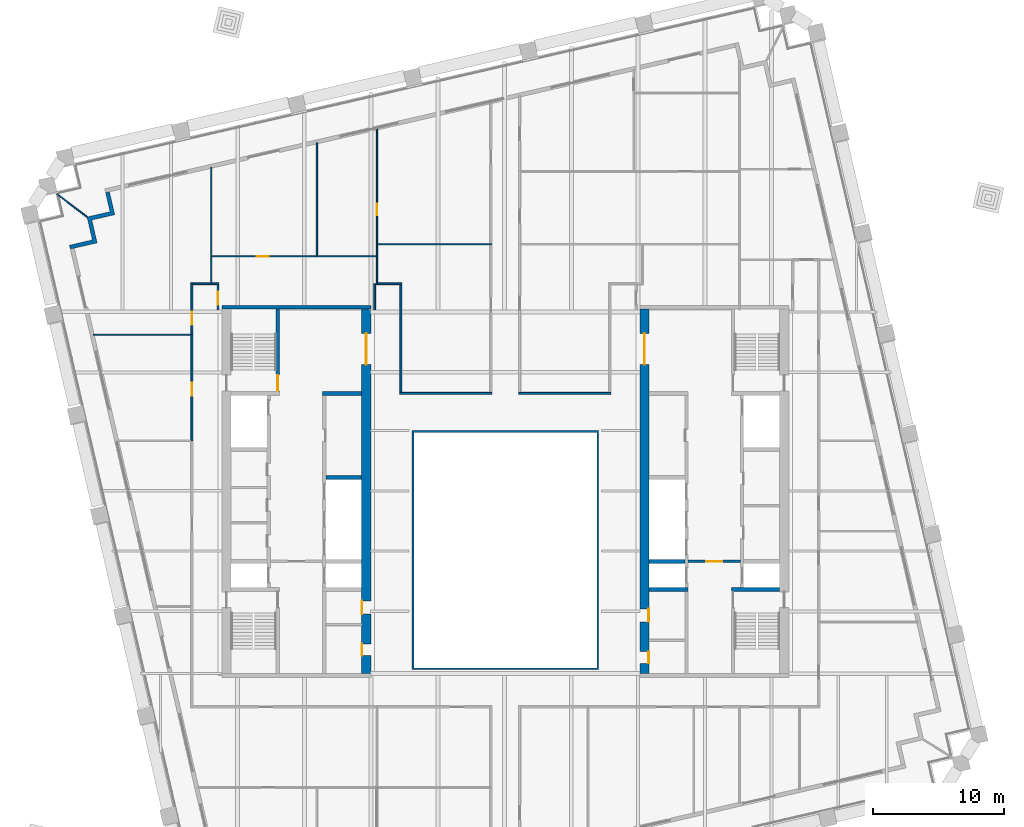
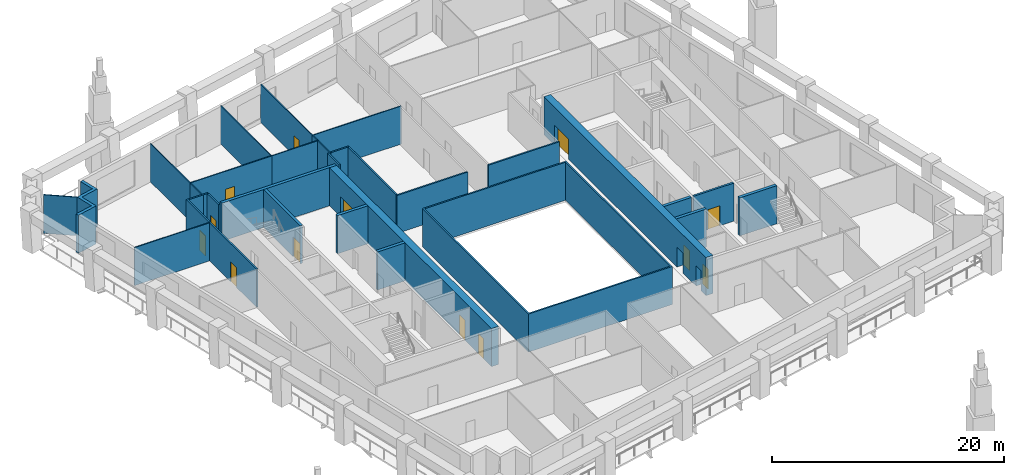
# One storey, part 6 of 10: 33 walls, 13 doors, 13 openings.
"""IFC4 building model written with IfcOpenShell, lengths in metres."""

from ifc_helpers import new_model, si_unit, direction, frame, frame_2d, origin, place, context, subcontext, project, spatial, polyline, rectangle, outline, extrude, material, layer, layer_set, type_object, element, fill, save


model = new_model("IFC4")

# Units and contexts
model_context = context("Model", 3, precision=1e-05, world=origin(), true_north=direction((0.0, 1.0)))
body_context = subcontext(model_context, "Body", "Model", "MODEL_VIEW")
ifc_project = project(units=[si_unit("LENGTHUNIT", "METRE"), si_unit("AREAUNIT", "SQUARE_METRE"), si_unit("VOLUMEUNIT", "CUBIC_METRE"), si_unit("PLANEANGLEUNIT", "RADIAN"), si_unit("MASSUNIT", "GRAM", prefix="KILO")], contexts=[model_context])

# Site, building, storey
site_placement = place(None, origin())
site = spatial("IfcSite", under=ifc_project, at=site_placement, CompositionType="ELEMENT")
building_placement = place(site_placement, origin())
building = spatial("IfcBuilding", under=site, at=building_placement, Name="Ogive Exchange Tower", CompositionType="ELEMENT")
storey_placement = place(building_placement, frame((0.0, 0.0, 171.60009765625)))
storey = spatial("IfcBuildingStorey", under=building, at=storey_placement, Name="L37", CompositionType="ELEMENT", Elevation=171.60009765625)

# Wall
ifc_material_1 = material(Name="Gypsum board partition")
ifc_layer_1 = layer(ifc_material_1, 0.300048828125)
ifc_layer_set_1 = layer_set([ifc_layer_1], Name="Core room partition 300 gypsum")
wall_type_1 = type_object("IfcWallType", Name="Core room partition 300 gypsum", PredefinedType="PARTITIONING", material=ifc_layer_set_1)
wall_1_placement = place(storey_placement, frame((-14.0, 19.0, 0.0), z_axis=(0.0, 0.0, 1.0), x_axis=(1.0, 0.0, 0.0)))
element("IfcWall", 1, at=wall_1_placement, inside=storey, type_object=wall_type_1, Name="W row B room end wall 7", PredefinedType="PARTITIONING", context=body_context, shape_type="SweptSolid", body=[
    extrude(rectangle(XDim=3.0, YDim=0.300048828125, at=frame_2d((1.5, 0.0))), origin(), (0.0, 0.0, 1.0), 4.0),
])

# Wall, opening, door
ifc_material_2 = material(Name="Fire partition EI 60 150")
ifc_layer_2 = layer(ifc_material_2, 0.14990234375)
ifc_layer_set_2 = layer_set([ifc_layer_2], Name="Fire partition EI 60 150")
wall_type_2 = type_object("IfcWallType", Name="Fire partition EI 60 150", PredefinedType="PARTITIONING", material=ifc_layer_set_2)
wall_2_placement = place(storey_placement, frame((-24.0, 15.3798828125, 0.0), z_axis=(0.0, 0.0, 1.0), x_axis=(0.0, 1.0, 0.0)))
wall_2 = element("IfcWall", 2, at=wall_2_placement, inside=storey, type_object=wall_type_2, Name="L37-PWL-005", PredefinedType="PARTITIONING", context=body_context, shape_type="SweptSolid", body=[
    extrude(rectangle(XDim=8.16015625, YDim=0.14990234375, at=frame_2d((4.080078125, 0.0))), origin(), (0.0, 0.0, 1.0), 4.0),
])
opening_1_placement = place(wall_2_placement, frame((3.4599609375, 0.0, 0.0)))
opening_1 = element("IfcOpeningElement", 3, at=opening_1_placement, cuts=wall_2, Name="Opening L37-I09", PredefinedType="OPENING", context=body_context, shape_type="SweptSolid", body=[
    extrude(rectangle(XDim=1.0, YDim=2.10009765625, at=frame_2d((0.5, 1.050048828125))), frame((0.0, 0.0849609375, 0.0), z_axis=(0.0, -1.0, 0.0), x_axis=(1.0, 0.0, 0.0)), (0.0, 0.0, 1.0), 0.169921875),
])
ifc_material_3 = material(Name="Fire door FD 30S 1000 x 2100")
door_type_1 = type_object("IfcDoorType", Name="Fire door FD 30S 1000 x 2100", OperationType="NOTDEFINED", PredefinedType="DOOR", material=ifc_material_3)
door_1_placement = place(opening_1_placement, origin())
door_1 = element("IfcDoor", 4, at=door_1_placement, inside=storey, type_object=door_type_1, Name="L37-IDR-009", ObjectType="DT3", OperationType="SINGLE_SWING_LEFT", OverallHeight=2.10009765625, OverallWidth=1.0, PredefinedType="DOOR", context=body_context, shape_type="SweptSolid", body=[
    extrude(rectangle(XDim=1.0, YDim=2.10009765625, at=frame_2d((0.5, 1.050048828125))), frame((0.0, 0.02490234375, 0.0), z_axis=(0.0, -1.0, 0.0), x_axis=(1.0, 0.0, 0.0)), (0.0, 0.0, 1.0), 0.050048828125),
])
fill(opening_1, door_1)

wall_3_placement = place(storey_placement, frame((-24.0, 23.5400390625, 0.0), z_axis=(0.0, 0.0, 1.0), x_axis=(0.0, 1.0, 0.0)))
wall_3 = element("IfcWall", 5, at=wall_3_placement, inside=storey, type_object=wall_type_2, Name="L37-PWL-007", PredefinedType="PARTITIONING", context=body_context, shape_type="SweptSolid", body=[
    extrude(rectangle(XDim=3.93505859375, YDim=0.14990234375, at=frame_2d((1.967529296875, 0.0))), origin(), (0.0, 0.0, 1.0), 4.0),
])
opening_2_placement = place(wall_3_placement, frame((0.7099609375, 0.0, 0.0)))
opening_2 = element("IfcOpeningElement", 6, at=opening_2_placement, cuts=wall_3, Name="Opening L37-I08", PredefinedType="OPENING", context=body_context, shape_type="SweptSolid", body=[
    extrude(rectangle(XDim=1.0, YDim=2.10009765625, at=frame_2d((0.5, 1.050048828125))), frame((0.0, 0.0849609375, 0.0), z_axis=(0.0, -1.0, 0.0), x_axis=(1.0, 0.0, 0.0)), (0.0, 0.0, 1.0), 0.169921875),
])
door_2_placement = place(opening_2_placement, origin())
door_2 = element("IfcDoor", 7, at=door_2_placement, inside=storey, type_object=door_type_1, Name="L37-IDR-008", ObjectType="DT3", OperationType="SINGLE_SWING_RIGHT", OverallHeight=2.10009765625, OverallWidth=1.0, PredefinedType="DOOR", context=body_context, shape_type="SweptSolid", body=[
    extrude(rectangle(XDim=1.0, YDim=2.10009765625, at=frame_2d((0.5, 1.050048828125))), frame((0.0, 0.02490234375, 0.0), z_axis=(0.0, -1.0, 0.0), x_axis=(1.0, 0.0, 0.0)), (0.0, 0.0, 1.0), 0.050048828125),
])
fill(opening_2, door_2)

# Walls
wall_4_placement = place(storey_placement, frame((-23.925048828125, 27.39990234375, 0.0), z_axis=(0.0, 0.0, 1.0), x_axis=(1.0, 0.0, 0.0)))
element("IfcWall", 8, at=wall_4_placement, inside=storey, type_object=wall_type_2, Name="L37-PWL-008", PredefinedType="PARTITIONING", context=body_context, shape_type="SweptSolid", body=[
    extrude(rectangle(XDim=1.455078125, YDim=0.14990234375, at=frame_2d((0.7275390625, 0.0))), origin(), (0.0, 0.0, 1.0), 4.0),
])
wall_5_placement = place(storey_placement, frame((-22.469970703125, 27.39990234375, 0.0), z_axis=(0.0, 0.0, 1.0), x_axis=(1.0, 0.0, 0.0)))
element("IfcWall", 9, at=wall_5_placement, inside=storey, type_object=wall_type_2, Name="L37-PWL-010", PredefinedType="PARTITIONING", context=body_context, shape_type="SweptSolid", body=[
    extrude(rectangle(XDim=0.544921875, YDim=0.14990234375, at=frame_2d((0.2724609375, 0.0))), origin(), (0.0, 0.0, 1.0), 4.0),
])

# Wall, opening, door
wall_6_placement = place(storey_placement, frame((-22.0, 27.324951171875, 0.0), z_axis=(0.0, 0.0, 1.0), x_axis=(0.0, -1.0, 0.0)))
wall_6 = element("IfcWall", 10, at=wall_6_placement, inside=storey, type_object=wall_type_2, Name="L37-PWL-013", PredefinedType="PARTITIONING", context=body_context, shape_type="SweptSolid", body=[
    extrude(rectangle(XDim=1.925048828125, YDim=0.14990234375, at=frame_2d((0.96240234375, 0.0))), origin(), (0.0, 0.0, 1.0), 4.0),
])
opening_3_placement = place(wall_6_placement, frame((0.52490234375, 0.0, 0.0)))
opening_3 = element("IfcOpeningElement", 11, at=opening_3_placement, cuts=wall_6, Name="Opening L37-I05", PredefinedType="OPENING", context=body_context, shape_type="SweptSolid", body=[
    extrude(rectangle(XDim=1.0, YDim=2.10009765625, at=frame_2d((0.5, 1.050048828125))), frame((0.0, 0.0849609375, 0.0), z_axis=(0.0, -1.0, 0.0), x_axis=(1.0, 0.0, 0.0)), (0.0, 0.0, 1.0), 0.169921875),
])
door_3_placement = place(opening_3_placement, origin())
door_3 = element("IfcDoor", 12, at=door_3_placement, inside=storey, type_object=door_type_1, Name="L37-IDR-005", ObjectType="DT3", OperationType="SINGLE_SWING_RIGHT", OverallHeight=2.10009765625, OverallWidth=1.0, PredefinedType="DOOR", context=body_context, shape_type="SweptSolid", body=[
    extrude(rectangle(XDim=1.0, YDim=2.10009765625, at=frame_2d((0.5, 1.050048828125))), frame((0.0, 0.02490234375, 0.0), z_axis=(0.0, -1.0, 0.0), x_axis=(1.0, 0.0, 0.0)), (0.0, 0.0, 1.0), 0.050048828125),
])
fill(opening_3, door_3)

# Walls
wall_7_placement = place(storey_placement, frame((-10.0, 25.39990234375, 0.0), z_axis=(0.0, 0.0, 1.0), x_axis=(0.0, 1.0, 0.0)))
element("IfcWall", 13, at=wall_7_placement, inside=storey, type_object=wall_type_2, Name="L37-PWL-019", PredefinedType="PARTITIONING", context=body_context, shape_type="SweptSolid", body=[
    extrude(rectangle(XDim=2.0, YDim=0.14990234375, at=frame_2d((1.0, 0.0))), origin(), (0.0, 0.0, 1.0), 4.0),
])
wall_8_placement = place(storey_placement, frame((-9.780029296875, 27.39990234375, 0.0), z_axis=(0.0, 0.0, 1.0), x_axis=(1.0, 0.0, 0.0)))
element("IfcWall", 14, at=wall_8_placement, inside=storey, type_object=wall_type_2, Name="L37-PWL-025", PredefinedType="PARTITIONING", context=body_context, shape_type="SweptSolid", body=[
    extrude(rectangle(XDim=1.85498046875, YDim=0.14990234375, at=frame_2d((0.927490234375, 0.0))), origin(), (0.0, 0.0, 1.0), 4.0),
])
wall_9_placement = place(storey_placement, frame((-8.074951171875, 19.0, 0.0), z_axis=(0.0, 0.0, 1.0), x_axis=(1.0, 0.0, 0.0)))
element("IfcWall", 15, at=wall_9_placement, inside=storey, type_object=wall_type_2, Name="L37-PWL-029", PredefinedType="PARTITIONING", context=body_context, shape_type="SweptSolid", body=[
    extrude(rectangle(XDim=7.050048828125, YDim=0.14990234375, at=frame_2d((3.52490234375, 0.0))), origin(), (0.0, 0.0, 1.0), 4.0),
])
wall_10_placement = place(storey_placement, frame((-8.0, 27.324951171875, 0.0), z_axis=(0.0, 0.0, 1.0), x_axis=(0.0, -1.0, 0.0)))
element("IfcWall", 16, at=wall_10_placement, inside=storey, type_object=wall_type_2, Name="L37-PWL-030", PredefinedType="PARTITIONING", context=body_context, shape_type="SweptSolid", body=[
    extrude(rectangle(XDim=8.25, YDim=0.14990234375, at=frame_2d((4.125, 0.0))), origin(), (0.0, 0.0, 1.0), 4.0),
])
wall_11_placement = place(storey_placement, frame((1.02490234375, 19.0, 0.0), z_axis=(0.0, 0.0, 1.0), x_axis=(1.0, 0.0, 0.0)))
element("IfcWall", 17, at=wall_11_placement, inside=storey, type_object=wall_type_2, Name="L37-PWL-037", PredefinedType="PARTITIONING", context=body_context, shape_type="SweptSolid", body=[
    extrude(rectangle(XDim=7.050048828125, YDim=0.14990234375, at=frame_2d((3.52490234375, 0.0))), origin(), (0.0, 0.0, 1.0), 4.0),
])
ifc_material_4 = material(Name="Fire-resisting glass in steel frame", Category="steel")
ifc_layer_3 = layer(ifc_material_4, 0.14990234375)
ifc_layer_set_3 = layer_set([ifc_layer_3], Name="Fire-rated glazed wall 150")
wall_type_3 = type_object("IfcWallType", Name="Fire-rated glazed wall 150", PredefinedType="STANDARD", material=ifc_layer_set_3)
wall_12_placement = place(storey_placement, origin())
element("IfcWall", 18, at=wall_12_placement, inside=storey, type_object=wall_type_3, Name="Nave enclosure wall", PredefinedType="STANDARD", context=body_context, shape_type="SweptSolid", body=[
    extrude(outline(polyline([(-7.14990234375, -2.14990234375), (7.14990234375, -2.14990234375), (7.14990234375, 16.14990234375), (-7.14990234375, 16.14990234375), (-7.14990234375, -2.14990234375)]), holes=[polyline([(-7.0, -2.0), (-7.0, 16.0), (7.0, 16.0), (7.0, -2.0), (-7.0, -2.0)])]), origin(), (0.0, 0.0, 1.0), 4.0),
])
ifc_material_5 = material(Name="Precast concrete C40/50", Category="concrete")
ifc_layer_4 = layer(ifc_material_5, 0.300048828125)
ifc_layer_set_4 = layer_set([ifc_layer_4], Name="Limestone-faced wall 300")
wall_type_4 = type_object("IfcWallType", Name="Limestone-faced wall 300", PredefinedType="STANDARD", material=ifc_layer_set_4)
wall_13_placement = place(storey_placement, origin())
element("IfcWall", 19, at=wall_13_placement, inside=storey, type_object=wall_type_4, Name="External corner wall C3", PredefinedType="STANDARD", context=body_context, shape_type="SweptSolid", body=[
    extrude(outline(polyline([(-31.616943359375, 30.755615234375), (-32.02197265625, 32.509521484375), (-30.26806640625, 32.914306640625), (-30.60546875, 34.3759765625), (-30.31298828125, 34.443359375), (-29.908203125, 32.689697265625), (-31.662109375, 32.28466796875), (-31.257080078125, 30.53076171875), (-33.30322265625, 30.058349609375), (-33.370849609375, 30.3505859375), (-31.616943359375, 30.755615234375)])), origin(), (0.0, 0.0, 1.0), 4.0),
])
ifc_material_6 = material(Name="Laminated safety glass in steel frame", Category="steel")
ifc_layer_5 = layer(ifc_material_6, 0.10009765625)
ifc_layer_set_5 = layer_set([ifc_layer_5], Name="Loggia end screen 100")
wall_type_5 = type_object("IfcWallType", Name="Loggia end screen 100", PredefinedType="STANDARD", material=ifc_layer_set_5)
wall_14_placement = place(storey_placement, frame((-32.02197265625, 32.509521484375, -0.050048828125), z_axis=(0.0, 0.0, 1.0), x_axis=(-0.794090023995, 0.60780015942, 0.0)))
element("IfcWall", 20, at=wall_14_placement, inside=storey, type_object=wall_type_5, Name="Loggia end screen C3", PredefinedType="STANDARD", context=body_context, shape_type="SweptSolid", body=[
    extrude(rectangle(XDim=2.89892578125, YDim=0.10009765625, at=frame_2d((1.449462890625, 0.0))), origin(), (0.0, 0.0, 1.0), 4.050048828125),
])
ifc_material_7 = material(Name="Partition 100 gypsum")
ifc_layer_6 = layer(ifc_material_7, 0.10009765625)
ifc_layer_set_6 = layer_set([ifc_layer_6], Name="Partition 100 gypsum")
wall_type_6 = type_object("IfcWallType", Name="Partition 100 gypsum", PredefinedType="PARTITIONING", material=ifc_layer_set_6)
wall_15_placement = place(storey_placement, frame((-24.074951171875, 23.489990234375, 0.0), z_axis=(0.0, 0.0, 1.0), x_axis=(-1.0, 0.0, 0.0)))
element("IfcWall", 21, at=wall_15_placement, inside=storey, type_object=wall_type_6, Name="L37-PWL-006", PredefinedType="PARTITIONING", context=body_context, shape_type="SweptSolid", body=[
    extrude(rectangle(XDim=7.487060546875, YDim=0.10009765625, at=frame_2d((3.74365234375, 0.0))), origin(), (0.0, 0.0, 1.0), 4.0),
])
wall_16_placement = place(storey_placement, frame((-22.52001953125, 27.47509765625, 0.0), z_axis=(0.0, 0.0, 1.0), x_axis=(0.0, 1.0, 0.0)))
element("IfcWall", 22, at=wall_16_placement, inside=storey, type_object=wall_type_6, Name="L37-PWL-009", PredefinedType="PARTITIONING", context=body_context, shape_type="SweptSolid", body=[
    extrude(rectangle(XDim=1.974853515625, YDim=0.10009765625, at=frame_2d((0.9873046875, 0.0))), origin(), (0.0, 0.0, 1.0), 4.0),
])
wall_17_placement = place(storey_placement, frame((-22.52001953125, 29.449951171875, 0.0), z_axis=(0.0, 0.0, 1.0), x_axis=(0.0, 1.0, 0.0)))
element("IfcWall", 23, at=wall_17_placement, inside=storey, type_object=wall_type_6, Name="L37-PWL-011", PredefinedType="PARTITIONING", context=body_context, shape_type="SweptSolid", body=[
    extrude(rectangle(XDim=6.875, YDim=0.10009765625, at=frame_2d((3.4375, 0.0))), origin(), (0.0, 0.0, 1.0), 4.0),
])

# Wall, opening, door
wall_18_placement = place(storey_placement, frame((-22.469970703125, 29.5, 0.0), z_axis=(0.0, 0.0, 1.0), x_axis=(1.0, 0.0, 0.0)))
wall_18 = element("IfcWall", 24, at=wall_18_placement, inside=storey, type_object=wall_type_6, Name="L37-PWL-012", PredefinedType="PARTITIONING", context=body_context, shape_type="SweptSolid", body=[
    extrude(rectangle(XDim=8.090087890625, YDim=0.10009765625, at=frame_2d((4.044921875, 0.0))), origin(), (0.0, 0.0, 1.0), 4.0),
])
opening_4_placement = place(wall_18_placement, frame((3.43994140625, 0.0, 0.0)))
opening_4 = element("IfcOpeningElement", 25, at=opening_4_placement, cuts=wall_18, Name="Opening L37-I07", PredefinedType="OPENING", context=body_context, shape_type="SweptSolid", body=[
    extrude(rectangle(XDim=0.89990234375, YDim=2.10009765625, at=frame_2d((0.449951171875, 1.050048828125))), frame((0.0, 0.06005859375, 0.0), z_axis=(0.0, -1.0, 0.0), x_axis=(1.0, 0.0, 0.0)), (0.0, 0.0, 1.0), 0.1201171875),
])
ifc_material_8 = material(Name="Door 900 x 2100")
door_type_2 = type_object("IfcDoorType", Name="Door 900 x 2100", OperationType="NOTDEFINED", PredefinedType="DOOR", material=ifc_material_8)
door_4_placement = place(opening_4_placement, frame((0.89990234375, 0.0, 0.0), z_axis=(0.0, 0.0, 1.0), x_axis=(-1.0, 0.0, 0.0)))
door_4 = element("IfcDoor", 26, at=door_4_placement, inside=storey, type_object=door_type_2, Name="L37-IDR-007", ObjectType="DT1", OperationType="SINGLE_SWING_LEFT", OverallHeight=2.10009765625, OverallWidth=0.89990234375, PredefinedType="DOOR", context=body_context, shape_type="SweptSolid", body=[
    extrude(rectangle(XDim=0.89990234375, YDim=2.10009765625, at=frame_2d((0.449951171875, 1.050048828125))), frame((0.0, 0.02490234375, 0.0), z_axis=(0.0, -1.0, 0.0), x_axis=(1.0, 0.0, 0.0)), (0.0, 0.0, 1.0), 0.050048828125),
])
fill(opening_4, door_4)

# Walls
wall_19_placement = place(storey_placement, frame((-14.429931640625, 29.550048828125, 0.0), z_axis=(0.0, 0.0, 1.0), x_axis=(0.0, 1.0, 0.0)))
element("IfcWall", 27, at=wall_19_placement, inside=storey, type_object=wall_type_6, Name="L37-PWL-016", PredefinedType="PARTITIONING", context=body_context, shape_type="SweptSolid", body=[
    extrude(rectangle(XDim=8.64306640625, YDim=0.10009765625, at=frame_2d((4.321533203125, 0.0))), origin(), (0.0, 0.0, 1.0), 4.0),
])
wall_20_placement = place(storey_placement, frame((-14.429931640625, 29.5, 0.0), z_axis=(0.0, 0.0, 1.0), x_axis=(1.0, 0.0, 0.0)))
element("IfcWall", 28, at=wall_20_placement, inside=storey, type_object=wall_type_6, Name="L37-PWL-017", PredefinedType="PARTITIONING", context=body_context, shape_type="SweptSolid", body=[
    extrude(rectangle(XDim=4.64990234375, YDim=0.10009765625, at=frame_2d((2.324951171875, 0.0))), origin(), (0.0, 0.0, 1.0), 4.0),
])
wall_21_placement = place(storey_placement, frame((-9.830078125, 27.324951171875, 0.0), z_axis=(0.0, 0.0, 1.0), x_axis=(0.0, 1.0, 0.0)))
element("IfcWall", 29, at=wall_21_placement, inside=storey, type_object=wall_type_6, Name="L37-PWL-024", PredefinedType="PARTITIONING", context=body_context, shape_type="SweptSolid", body=[
    extrude(rectangle(XDim=2.125, YDim=0.10009765625, at=frame_2d((1.0625, 0.0))), origin(), (0.0, 0.0, 1.0), 4.0),
])
wall_22_placement = place(storey_placement, frame((-9.830078125, 29.550048828125, 0.0), z_axis=(0.0, 0.0, 1.0), x_axis=(0.0, 1.0, 0.0)))
element("IfcWall", 30, at=wall_22_placement, inside=storey, type_object=wall_type_6, Name="L37-PWL-026", PredefinedType="PARTITIONING", context=body_context, shape_type="SweptSolid", body=[
    extrude(rectangle(XDim=0.820068359375, YDim=0.10009765625, at=frame_2d((0.41015625, 0.0))), origin(), (0.0, 0.0, 1.0), 4.0),
])

# Wall, opening, door
wall_23_placement = place(storey_placement, frame((-9.830078125, 30.3701171875, 0.0), z_axis=(0.0, 0.0, 1.0), x_axis=(0.0, 1.0, 0.0)))
wall_23 = element("IfcWall", 31, at=wall_23_placement, inside=storey, type_object=wall_type_6, Name="L37-PWL-027", PredefinedType="PARTITIONING", context=body_context, shape_type="SweptSolid", body=[
    extrude(rectangle(XDim=8.884765625, YDim=0.10009765625, at=frame_2d((4.4423828125, 0.0))), origin(), (0.0, 0.0, 1.0), 4.0),
])
opening_5_placement = place(wall_23_placement, frame((2.260009765625, 0.0, 0.0)))
opening_5 = element("IfcOpeningElement", 32, at=opening_5_placement, cuts=wall_23, Name="Opening L37-I06", PredefinedType="OPENING", context=body_context, shape_type="SweptSolid", body=[
    extrude(rectangle(XDim=0.89990234375, YDim=2.10009765625, at=frame_2d((0.449951171875, 1.050048828125))), frame((0.0, 0.06005859375, 0.0), z_axis=(0.0, -1.0, 0.0), x_axis=(1.0, 0.0, 0.0)), (0.0, 0.0, 1.0), 0.1201171875),
])
door_5_placement = place(opening_5_placement, origin())
door_5 = element("IfcDoor", 33, at=door_5_placement, inside=storey, type_object=door_type_2, Name="L37-IDR-006", ObjectType="DT1", OperationType="SINGLE_SWING_RIGHT", OverallHeight=2.10009765625, OverallWidth=0.89990234375, PredefinedType="DOOR", context=body_context, shape_type="SweptSolid", body=[
    extrude(rectangle(XDim=0.89990234375, YDim=2.10009765625, at=frame_2d((0.449951171875, 1.050048828125))), frame((0.0, 0.02490234375, 0.0), z_axis=(0.0, -1.0, 0.0), x_axis=(1.0, 0.0, 0.0)), (0.0, 0.0, 1.0), 0.050048828125),
])
fill(opening_5, door_5)

# Wall
wall_24_placement = place(storey_placement, frame((-9.780029296875, 30.419921875, 0.0), z_axis=(0.0, 0.0, 1.0), x_axis=(1.0, 0.0, 0.0)))
element("IfcWall", 34, at=wall_24_placement, inside=storey, type_object=wall_type_6, Name="L37-PWL-028", PredefinedType="PARTITIONING", context=body_context, shape_type="SweptSolid", body=[
    extrude(rectangle(XDim=8.755126953125, YDim=0.10009765625, at=frame_2d((4.37744140625, 0.0))), origin(), (0.0, 0.0, 1.0), 4.0),
])

# Wall, opening, door
ifc_material_9 = material(Name="Concrete C70/85", Category="concrete")
ifc_layer_7 = layer(ifc_material_9, 0.199951171875)
ifc_layer_set_7 = layer_set([ifc_layer_7], Name="RC core wall 200 C70/85")
wall_type_7 = type_object("IfcWallType", Name="RC core wall 200 C70/85", PredefinedType="SHEAR", material=ifc_layer_set_7)
wall_25_placement = place(storey_placement, frame((14.0, 6.142822265625, 0.0), z_axis=(0.0, 0.0, 1.0), x_axis=(1.0, 0.0, 0.0)))
wall_25 = element("IfcWall", 35, at=wall_25_placement, inside=storey, type_object=wall_type_7, Name="E firefighting lobby wall", PredefinedType="SHEAR", context=body_context, shape_type="SweptSolid", body=[
    extrude(rectangle(XDim=4.0, YDim=0.199951171875, at=frame_2d((2.0, 0.0))), origin(), (0.0, 0.0, 1.0), 4.0),
])
opening_6_placement = place(wall_25_placement, frame((1.39990234375, 0.0, 0.0)))
opening_6 = element("IfcOpeningElement", 36, at=opening_6_placement, cuts=wall_25, Name="Opening L37-C28", PredefinedType="OPENING", context=body_context, shape_type="SweptSolid", body=[
    extrude(rectangle(XDim=1.199951171875, YDim=2.10009765625, at=frame_2d((0.60009765625, 1.050048828125))), frame((0.0, 0.10986328125, 0.0), z_axis=(0.0, -1.0, 0.0), x_axis=(1.0, 0.0, 0.0)), (0.0, 0.0, 1.0), 0.219970703125),
])
ifc_material_10 = material(Name="Steel fire door", Category="steel")
door_type_3 = type_object("IfcDoorType", Name="Firefighting lobby door FD60 1200 x 2100", OperationType="NOTDEFINED", PredefinedType="DOOR", material=ifc_material_10)
door_6_placement = place(opening_6_placement, frame((1.199951171875, 0.0, 0.0), z_axis=(0.0, 0.0, 1.0), x_axis=(-1.0, 0.0, 0.0)))
door_6 = element("IfcDoor", 37, at=door_6_placement, inside=storey, type_object=door_type_3, Name="Firefighting lobby door", ObjectType="CD3", OperationType="SINGLE_SWING_RIGHT", OverallHeight=2.10009765625, OverallWidth=1.199951171875, PredefinedType="DOOR", context=body_context, shape_type="SweptSolid", body=[
    extrude(rectangle(XDim=1.199951171875, YDim=2.10009765625, at=frame_2d((0.60009765625, 1.050048828125))), frame((0.0, 0.02490234375, 0.0), z_axis=(0.0, -1.0, 0.0), x_axis=(1.0, 0.0, 0.0)), (0.0, 0.0, 1.0), 0.050048828125),
])
fill(opening_6, door_6)

ifc_layer_8 = layer(ifc_material_9, 0.25)
ifc_layer_set_8 = layer_set([ifc_layer_8], Name="RC core wall 250 C70/85")
wall_type_8 = type_object("IfcWallType", Name="RC core wall 250 C70/85", PredefinedType="SHEAR", material=ifc_layer_set_8)
wall_26_placement = place(storey_placement, frame((-17.425048828125, 19.14990234375, 0.0), z_axis=(0.0, 0.0, 1.0), x_axis=(0.0, 1.0, 0.0)))
wall_26 = element("IfcWall", 38, at=wall_26_placement, inside=storey, type_object=wall_type_8, Name="W stair N front wall", PredefinedType="SHEAR", context=body_context, shape_type="SweptSolid", body=[
    extrude(rectangle(XDim=6.300048828125, YDim=0.25, at=frame_2d((3.14990234375, 0.0))), origin(), (0.0, 0.0, 1.0), 4.0),
])
opening_7_placement = place(wall_26_placement, frame((0.050048828125, 0.0, 0.0)))
opening_7 = element("IfcOpeningElement", 39, at=opening_7_placement, cuts=wall_26, Name="Opening L37-C15", PredefinedType="OPENING", context=body_context, shape_type="SweptSolid", body=[
    extrude(rectangle(XDim=1.199951171875, YDim=2.10009765625, at=frame_2d((0.60009765625, 1.050048828125))), frame((0.0, 0.135009765625, 0.0), z_axis=(0.0, -1.0, 0.0), x_axis=(1.0, 0.0, 0.0)), (0.0, 0.0, 1.0), 0.27001953125),
])
door_type_4 = type_object("IfcDoorType", Name="Stair door FD90 1200 x 2100", OperationType="NOTDEFINED", PredefinedType="DOOR", material=ifc_material_10)
door_7_placement = place(opening_7_placement, origin())
door_7 = element("IfcDoor", 40, at=door_7_placement, inside=storey, type_object=door_type_4, Name="Stair door", ObjectType="CD5", OperationType="SINGLE_SWING_RIGHT", OverallHeight=2.10009765625, OverallWidth=1.199951171875, PredefinedType="DOOR", context=body_context, shape_type="SweptSolid", body=[
    extrude(rectangle(XDim=1.199951171875, YDim=2.10009765625, at=frame_2d((0.60009765625, 1.050048828125))), frame((0.0, 0.02490234375, 0.0), z_axis=(0.0, -1.0, 0.0), x_axis=(1.0, 0.0, 0.0)), (0.0, 0.0, 1.0), 0.050048828125),
])
fill(opening_7, door_7)

# Walls
ifc_layer_9 = layer(ifc_material_9, 0.300048828125)
ifc_layer_set_9 = layer_set([ifc_layer_9], Name="RC core wall 300 C70/85")
wall_type_9 = type_object("IfcWallType", Name="RC core wall 300 C70/85", PredefinedType="SHEAR", material=ifc_layer_set_9)
wall_27_placement = place(storey_placement, frame((-21.699951171875, 25.60009765625, 0.0), z_axis=(0.0, 0.0, 1.0), x_axis=(1.0, 0.0, 0.0)))
element("IfcWall", 41, at=wall_27_placement, inside=storey, type_object=wall_type_9, Name="W north end wall", PredefinedType="SHEAR", context=body_context, shape_type="SweptSolid", body=[
    extrude(rectangle(XDim=11.39990234375, YDim=0.300048828125, at=frame_2d((5.699951171875, 0.0))), origin(), (0.0, 0.0, 1.0), 4.0),
])
wall_28_placement = place(storey_placement, frame((-13.75, 12.5712890625, 0.0), z_axis=(0.0, 0.0, 1.0), x_axis=(1.0, 0.0, 0.0)))
element("IfcWall", 42, at=wall_28_placement, inside=storey, type_object=wall_type_9, Name="W row B divider 4", PredefinedType="SHEAR", context=body_context, shape_type="SweptSolid", body=[
    extrude(rectangle(XDim=2.75, YDim=0.300048828125, at=frame_2d((1.375, 0.0))), origin(), (0.0, 0.0, 1.0), 4.0),
])
wall_29_placement = place(storey_placement, frame((17.300048828125, 4.0, 0.0), z_axis=(0.0, 0.0, 1.0), x_axis=(1.0, 0.0, 0.0)))
element("IfcWall", 43, at=wall_29_placement, inside=storey, type_object=wall_type_9, Name="E stair S north wall", PredefinedType="SHEAR", context=body_context, shape_type="SweptSolid", body=[
    extrude(rectangle(XDim=3.699951171875, YDim=0.300048828125, at=frame_2d((1.85009765625, 0.0))), origin(), (0.0, 0.0, 1.0), 4.0),
])
wall_30_placement = place(storey_placement, frame((11.0, 4.0, 0.0), z_axis=(0.0, 0.0, 1.0), x_axis=(1.0, 0.0, 0.0)))
element("IfcWall", 44, at=wall_30_placement, inside=storey, type_object=wall_type_9, Name="E row B divider 0", PredefinedType="SHEAR", context=body_context, shape_type="SweptSolid", body=[
    extrude(rectangle(XDim=3.0, YDim=0.300048828125, at=frame_2d((1.5, 0.0))), origin(), (0.0, 0.0, 1.0), 4.0),
])
wall_31_placement = place(storey_placement, frame((11.0, 6.142822265625, 0.0), z_axis=(0.0, 0.0, 1.0), x_axis=(1.0, 0.0, 0.0)))
element("IfcWall", 45, at=wall_31_placement, inside=storey, type_object=wall_type_9, Name="E row B divider 1", PredefinedType="SHEAR", context=body_context, shape_type="SweptSolid", body=[
    extrude(rectangle(XDim=2.75, YDim=0.300048828125, at=frame_2d((1.375, 0.0))), origin(), (0.0, 0.0, 1.0), 4.0),
])

# Wall, openings, doors
ifc_layer_10 = layer(ifc_material_9, 0.699951171875)
ifc_layer_set_10 = layer_set([ifc_layer_10], Name="RC core wall 700 C70/85")
wall_type_10 = type_object("IfcWallType", Name="RC core wall 700 C70/85", PredefinedType="SHEAR", material=ifc_layer_set_10)
wall_32_placement = place(storey_placement, frame((-10.64990234375, -2.449951171875, 0.0), z_axis=(0.0, 0.0, 1.0), x_axis=(0.0, 1.0, 0.0)))
wall_32 = element("IfcWall", 46, at=wall_32_placement, inside=storey, type_object=wall_type_10, Name="W inner wall", PredefinedType="SHEAR", context=body_context, shape_type="SweptSolid", body=[
    extrude(rectangle(XDim=27.89990234375, YDim=0.699951171875, at=frame_2d((13.949951171875, 0.0))), origin(), (0.0, 0.0, 1.0), 4.0),
])
opening_8_placement = place(wall_32_placement, frame((23.64990234375, 0.0, 0.0)))
opening_8 = element("IfcOpeningElement", 47, at=opening_8_placement, cuts=wall_32, Name="Opening L37-C12", PredefinedType="OPENING", context=body_context, shape_type="SweptSolid", body=[
    extrude(rectangle(XDim=2.39990234375, YDim=2.10009765625, at=frame_2d((1.199951171875, 1.050048828125))), frame((0.0, 0.35986328125, 0.0), z_axis=(0.0, -1.0, 0.0), x_axis=(1.0, 0.0, 0.0)), (0.0, 0.0, 1.0), 0.719970703125),
])
opening_9_placement = place(wall_32_placement, frame((1.387451171875, 0.0, 0.0)))
opening_9 = element("IfcOpeningElement", 48, at=opening_9_placement, cuts=wall_32, Name="Opening L37-C17", PredefinedType="OPENING", context=body_context, shape_type="SweptSolid", body=[
    extrude(rectangle(XDim=0.89990234375, YDim=2.10009765625, at=frame_2d((0.449951171875, 1.050048828125))), frame((0.0, 0.35986328125, 0.0), z_axis=(0.0, -1.0, 0.0), x_axis=(1.0, 0.0, 0.0)), (0.0, 0.0, 1.0), 0.719970703125),
])
opening_10_placement = place(wall_32_placement, frame((4.5625, 0.0, 0.0)))
opening_10 = element("IfcOpeningElement", 49, at=opening_10_placement, cuts=wall_32, Name="Opening L37-C18", PredefinedType="OPENING", context=body_context, shape_type="SweptSolid", body=[
    extrude(rectangle(XDim=1.0, YDim=2.10009765625, at=frame_2d((0.5, 1.050048828125))), frame((0.0, 0.35986328125, 0.0), z_axis=(0.0, -1.0, 0.0), x_axis=(1.0, 0.0, 0.0)), (0.0, 0.0, 1.0), 0.719970703125),
])
ifc_material_11 = material(Name="Timber fire door", Category="wood")
door_type_5 = type_object("IfcDoorType", Name="Accessible WC door FD30S 1000 x 2100", OperationType="NOTDEFINED", PredefinedType="DOOR", material=ifc_material_11)
door_8_placement = place(opening_10_placement, origin())
door_8 = element("IfcDoor", 50, at=door_8_placement, inside=storey, type_object=door_type_5, Name="Accessible WC door", ObjectType="CD7", OperationType="SINGLE_SWING_RIGHT", OverallHeight=2.10009765625, OverallWidth=1.0, PredefinedType="DOOR", context=body_context, shape_type="SweptSolid", body=[
    extrude(rectangle(XDim=1.0, YDim=2.10009765625, at=frame_2d((0.5, 1.050048828125))), frame((0.0, 0.35009765625, 0.0), z_axis=(0.0, -1.0, 0.0), x_axis=(1.0, 0.0, 0.0)), (0.0, 0.0, 1.0), 0.050048828125),
])
fill(opening_10, door_8)
door_type_6 = type_object("IfcDoorType", Name="Core room door FD30S 900 x 2100", OperationType="NOTDEFINED", PredefinedType="DOOR", material=ifc_material_11)
door_9_placement = place(opening_9_placement, origin())
door_9 = element("IfcDoor", 51, at=door_9_placement, inside=storey, type_object=door_type_6, Name="Core room door", ObjectType="CD6", OperationType="SINGLE_SWING_LEFT", OverallHeight=2.10009765625, OverallWidth=0.89990234375, PredefinedType="DOOR", context=body_context, shape_type="SweptSolid", body=[
    extrude(rectangle(XDim=0.89990234375, YDim=2.10009765625, at=frame_2d((0.449951171875, 1.050048828125))), frame((0.0, 0.35009765625, 0.0), z_axis=(0.0, -1.0, 0.0), x_axis=(1.0, 0.0, 0.0)), (0.0, 0.0, 1.0), 0.050048828125),
])
fill(opening_9, door_9)
ifc_material_12 = material(Name="Glazed steel fire door", Category="steel")
door_type_7 = type_object("IfcDoorType", Name="Lift lobby double door FD60 2400 x 2100", OperationType="DOUBLE_DOOR_SINGLE_SWING", PredefinedType="DOOR", material=ifc_material_12)
door_10_placement = place(opening_8_placement, frame((2.39990234375, 0.0, 0.0), z_axis=(0.0, 0.0, 1.0), x_axis=(-1.0, 0.0, 0.0)))
door_10 = element("IfcDoor", 52, at=door_10_placement, inside=storey, type_object=door_type_7, Name="Lift lobby double door", ObjectType="CD4", OperationType="DOUBLE_DOOR_SINGLE_SWING", OverallHeight=2.10009765625, OverallWidth=2.39990234375, PredefinedType="DOOR", context=body_context, shape_type="SweptSolid", body=[
    extrude(rectangle(XDim=2.39990234375, YDim=2.10009765625, at=frame_2d((1.199951171875, 1.050048828125))), frame((0.0, 0.02490234375, 0.0), z_axis=(0.0, -1.0, 0.0), x_axis=(1.0, 0.0, 0.0)), (0.0, 0.0, 1.0), 0.050048828125),
])
fill(opening_8, door_10)

wall_33_placement = place(storey_placement, frame((10.64990234375, -2.449951171875, 0.0), z_axis=(0.0, 0.0, 1.0), x_axis=(0.0, 1.0, 0.0)))
wall_33 = element("IfcWall", 53, at=wall_33_placement, inside=storey, type_object=wall_type_10, Name="E inner wall", PredefinedType="SHEAR", context=body_context, shape_type="SweptSolid", body=[
    extrude(rectangle(XDim=27.89990234375, YDim=0.699951171875, at=frame_2d((13.949951171875, 0.0))), origin(), (0.0, 0.0, 1.0), 4.0),
])
opening_11_placement = place(wall_33_placement, frame((23.64990234375, 0.0, 0.0)))
opening_11 = element("IfcOpeningElement", 54, at=opening_11_placement, cuts=wall_33, Name="Opening L37-C29", PredefinedType="OPENING", context=body_context, shape_type="SweptSolid", body=[
    extrude(rectangle(XDim=2.39990234375, YDim=2.10009765625, at=frame_2d((1.199951171875, 1.050048828125))), frame((0.0, 0.35986328125, 0.0), z_axis=(0.0, -1.0, 0.0), x_axis=(1.0, 0.0, 0.0)), (0.0, 0.0, 1.0), 0.719970703125),
])
opening_12_placement = place(wall_33_placement, frame((0.78759765625, 0.0, 0.0)))
opening_12 = element("IfcOpeningElement", 55, at=opening_12_placement, cuts=wall_33, Name="Opening L37-C34", PredefinedType="OPENING", context=body_context, shape_type="SweptSolid", body=[
    extrude(rectangle(XDim=0.89990234375, YDim=2.10009765625, at=frame_2d((0.449951171875, 1.050048828125))), frame((0.0, 0.35986328125, 0.0), z_axis=(0.0, -1.0, 0.0), x_axis=(1.0, 0.0, 0.0)), (0.0, 0.0, 1.0), 0.719970703125),
])
opening_13_placement = place(wall_33_placement, frame((3.96240234375, 0.0, 0.0)))
opening_13 = element("IfcOpeningElement", 56, at=opening_13_placement, cuts=wall_33, Name="Opening L37-C35", PredefinedType="OPENING", context=body_context, shape_type="SweptSolid", body=[
    extrude(rectangle(XDim=1.0, YDim=2.10009765625, at=frame_2d((0.5, 1.050048828125))), frame((0.0, 0.35986328125, 0.0), z_axis=(0.0, -1.0, 0.0), x_axis=(1.0, 0.0, 0.0)), (0.0, 0.0, 1.0), 0.719970703125),
])
door_11_placement = place(opening_13_placement, frame((1.0, -0.64990234375, 0.0), z_axis=(0.0, 0.0, 1.0), x_axis=(-1.0, 0.0, 0.0)))
door_11 = element("IfcDoor", 57, at=door_11_placement, inside=storey, type_object=door_type_5, Name="Accessible WC door", ObjectType="CD7", OperationType="SINGLE_SWING_RIGHT", OverallHeight=2.10009765625, OverallWidth=1.0, PredefinedType="DOOR", context=body_context, shape_type="SweptSolid", body=[
    extrude(rectangle(XDim=1.0, YDim=2.10009765625, at=frame_2d((0.5, 1.050048828125))), frame((0.0, -0.2998046875, 0.0), z_axis=(0.0, -1.0, 0.0), x_axis=(1.0, 0.0, 0.0)), (0.0, 0.0, 1.0), 0.050048828125),
])
fill(opening_13, door_11)
door_12_placement = place(opening_12_placement, frame((0.89990234375, -0.64990234375, 0.0), z_axis=(0.0, 0.0, 1.0), x_axis=(-1.0, 0.0, 0.0)))
door_12 = element("IfcDoor", 58, at=door_12_placement, inside=storey, type_object=door_type_6, Name="Core room door", ObjectType="CD6", OperationType="SINGLE_SWING_RIGHT", OverallHeight=2.10009765625, OverallWidth=0.89990234375, PredefinedType="DOOR", context=body_context, shape_type="SweptSolid", body=[
    extrude(rectangle(XDim=0.89990234375, YDim=2.10009765625, at=frame_2d((0.449951171875, 1.050048828125))), frame((0.0, -0.2998046875, 0.0), z_axis=(0.0, -1.0, 0.0), x_axis=(1.0, 0.0, 0.0)), (0.0, 0.0, 1.0), 0.050048828125),
])
fill(opening_12, door_12)
door_13_placement = place(opening_11_placement, origin())
door_13 = element("IfcDoor", 59, at=door_13_placement, inside=storey, type_object=door_type_7, Name="Lift lobby double door", ObjectType="CD4", OperationType="DOUBLE_DOOR_SINGLE_SWING", OverallHeight=2.10009765625, OverallWidth=2.39990234375, PredefinedType="DOOR", context=body_context, shape_type="SweptSolid", body=[
    extrude(rectangle(XDim=2.39990234375, YDim=2.10009765625, at=frame_2d((1.199951171875, 1.050048828125))), frame((0.0, 0.02490234375, 0.0), z_axis=(0.0, -1.0, 0.0), x_axis=(1.0, 0.0, 0.0)), (0.0, 0.0, 1.0), 0.050048828125),
])
fill(opening_11, door_13)

save(model, "model.ifc")
